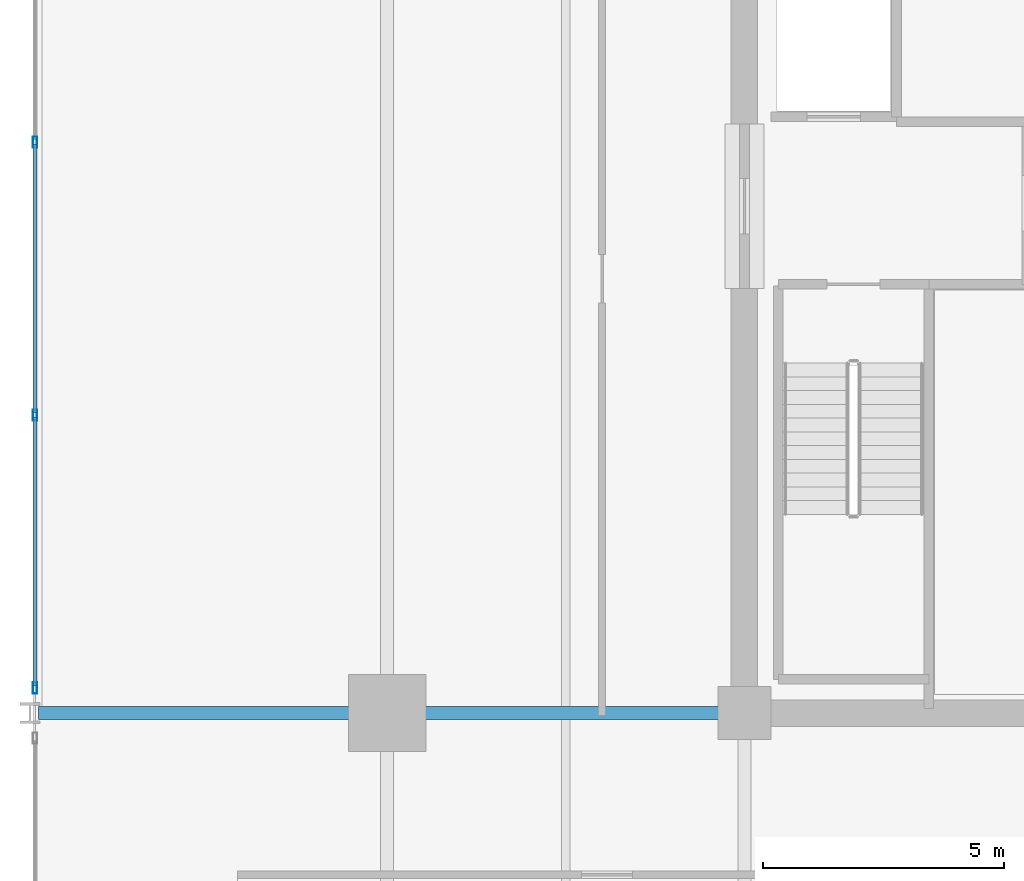
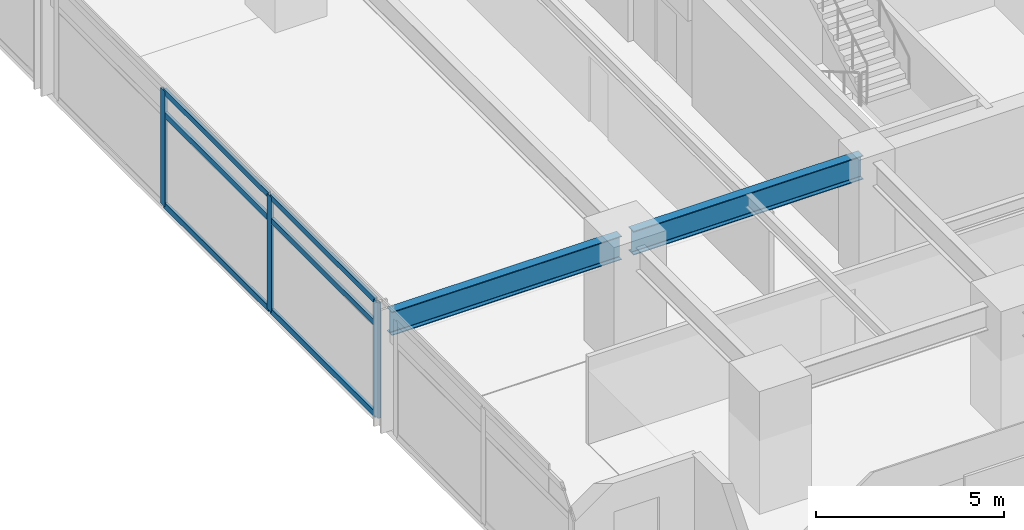
# One storey, part 5 of 21: 9 members, 2 beams, 1 element without a shape of its own.
"""IFC4 building model written with IfcOpenShell, lengths in metres."""

import ifcopenshell
import ifcopenshell.guid

model = None  # the IFC model being written
_history = None  # IfcOwnerHistory: only IFC2X3 demands one
_inside = {}  # id of a spatial element -> (the spatial element, [elements in it])
_under = {}  # id of a project, library or spatial element -> (it, [spatial elements below it])
_declared = {}  # id of a project -> (the project, [libraries it declares])
_typed = {}  # id of a type object -> (the type object, [elements of that type])
_made_of = {}  # id of a material, layer set ... -> (it, [elements and type objects made of it])


def new_model(schema):
    """Start an empty IFC model of exactly this schema.

    Asked for "IFC4X3", IfcOpenShell would pick the latest addendum, in which some entities
    have other attributes; the version numbers below select the first issue.
    IFC2X3 requires an IfcOwnerHistory on every rooted entity: one is made here for all.
    """
    global model, _history
    if schema == "IFC4X3":
        model = ifcopenshell.file(schema_version=(4, 3, 0, 0))
    else:
        model = ifcopenshell.file(schema=schema)
    _inside.clear()
    _under.clear()
    _declared.clear()
    _typed.clear()
    _made_of.clear()
    _history = None
    if model.schema == "IFC2X3":
        org = make("IfcOrganization", Name="unknown")
        user = make(
            "IfcPersonAndOrganization",
            ThePerson=make("IfcPerson", FamilyName="unknown"),
            TheOrganization=org,
        )
        app = make(
            "IfcApplication",
            ApplicationDeveloper=org,
            Version="unknown",
            ApplicationFullName="unknown",
            ApplicationIdentifier="unknown",
        )
        _history = make(
            "IfcOwnerHistory",
            OwningUser=user,
            OwningApplication=app,
            ChangeAction="ADDED",
            CreationDate=0,
        )
    return model


def make(cls, **values):
    """One entity of the class cls with the attributes given. An attribute that is None is left unset."""
    return model.create_entity(
        cls, **{name: value for name, value in values.items() if value is not None}
    )


def rooted(cls, **values):
    """An entity with a GlobalId (a new one), such as an element, a storey or a relation."""
    return make(cls, GlobalId=ifcopenshell.guid.new(), OwnerHistory=_history, **values)


def si_unit(unit_type, name, prefix=None):
    """IfcSIUnit, for example si_unit("LENGTHUNIT", "METRE", prefix="MILLI")."""
    return make("IfcSIUnit", UnitType=unit_type, Prefix=prefix, Name=name)


def assignment(units):
    """IfcUnitAssignment: the units of a project."""
    return None if units is None else make("IfcUnitAssignment", Units=units)


def point(xyz):
    """IfcCartesianPoint."""
    return None if xyz is None else make("IfcCartesianPoint", Coordinates=xyz)


def direction(xyz):
    """IfcDirection."""
    return None if xyz is None else make("IfcDirection", DirectionRatios=xyz)


def frame(location, z_axis=None, x_axis=None):
    """IfcAxis2Placement3D, a coordinate frame: its origin and axes. An axis left out is left unset."""
    return make(
        "IfcAxis2Placement3D",
        Location=point(location),
        Axis=direction(z_axis),
        RefDirection=direction(x_axis),
    )


def frame_2d(location, x_axis=None):
    """IfcAxis2Placement2D, a coordinate frame in the plane: its origin and x axis."""
    return make(
        "IfcAxis2Placement2D", Location=point(location), RefDirection=direction(x_axis)
    )


def origin():
    """The frame at (0, 0, 0) with its axes left unset."""
    return frame((0.0, 0.0, 0.0))


def origin_2d():
    """The frame at (0, 0) in the plane with its x axis left unset."""
    return frame_2d((0.0, 0.0))


def place(relative_to, where):
    """IfcLocalPlacement: puts the frame where relative to a parent placement (None: the world)."""
    return make(
        "IfcLocalPlacement", PlacementRelTo=relative_to, RelativePlacement=where
    )


def context(
    kind, dimensions, precision=None, world=None, true_north=None, identifier=None
):
    """IfcGeometricRepresentationContext, for example the 3D "Model" context."""
    return make(
        "IfcGeometricRepresentationContext",
        ContextIdentifier=identifier,
        ContextType=kind,
        CoordinateSpaceDimension=dimensions,
        Precision=precision,
        WorldCoordinateSystem=world,
        TrueNorth=true_north,
    )


def subcontext(parent, identifier, kind, view, scale=None):
    """IfcGeometricRepresentationSubContext, for example "Body" below "Model"."""
    return make(
        "IfcGeometricRepresentationSubContext",
        ContextIdentifier=identifier,
        ContextType=kind,
        ParentContext=parent,
        TargetScale=scale,
        TargetView=view,
    )


def project(units=None, contexts=None):
    """IfcProject with its units and contexts."""
    return rooted(
        "IfcProject",
        Name="project",
        RepresentationContexts=contexts,
        UnitsInContext=assignment(units),
    )


def spatial(cls, under=None, at=None, **own):
    """A site, building, storey or space (cls), placed at a placement, below another one or the project."""
    s = rooted(cls, ObjectPlacement=at, **own)
    if under is not None:
        _under.setdefault(under.id(), (under, []))[1].append(s)
    return s


def profile(cls, at=None, kind="AREA", **sizes):
    """A parametric profile (cls). Its sizes go by their IFC names, for example OverallWidth=200.0."""
    return make(cls, ProfileType=kind, Position=at, **sizes)


def hollow_rectangle(**sizes):
    """IfcRectangleHollowProfileDef."""
    return profile("IfcRectangleHollowProfileDef", **sizes)


def i_section(**sizes):
    """IfcIShapeProfileDef."""
    return profile("IfcIShapeProfileDef", **sizes)


def extrude(swept, where, along, depth):
    """IfcExtrudedAreaSolid: the profile swept, set in the frame where, extruded along a direction by depth."""
    return make(
        "IfcExtrudedAreaSolid",
        SweptArea=swept,
        Position=where,
        ExtrudedDirection=direction(along),
        Depth=depth,
    )


def shape(context_of_items, identifier, shape_type, items):
    """IfcShapeRepresentation: the items that make up one representation, for example the "Body"."""
    return make(
        "IfcShapeRepresentation",
        ContextOfItems=context_of_items,
        RepresentationIdentifier=identifier,
        RepresentationType=shape_type,
        Items=items,
    )


def material(Name=None, Category=None):
    """IfcMaterial."""
    return make("IfcMaterial", Name=Name, Category=Category)


def material_profile(
    of_material, cross_section, Name=None, Category=None, Priority=None
):
    """IfcMaterialProfile: a cross section and its material."""
    return make(
        "IfcMaterialProfile",
        Name=Name,
        Material=of_material,
        Profile=cross_section,
        Priority=Priority,
        Category=Category,
    )


def profile_set(profiles, Name=None, composite=None):
    """IfcMaterialProfileSet."""
    return make(
        "IfcMaterialProfileSet",
        Name=Name,
        MaterialProfiles=profiles,
        CompositeProfile=composite,
    )


def made_of(thing, what):
    """Note that an element or type object is made of a material, layer set ...; save() writes the relation."""
    if what is not None:
        _made_of.setdefault(what.id(), (what, []))[1].append(thing)
    return thing


def type_object(cls, material=None, **own):
    """A type object (cls), such as IfcWallType, which elements share."""
    return made_of(rooted(cls, **own), material)


def element(
    cls,
    number,
    at=None,
    inside=None,
    cuts=None,
    type_object=None,
    material=None,
    context=None,
    identifier="Body",
    shape_type=None,
    held_by="IfcProductDefinitionShape",
    body=None,
    shapes=None,
    **own,
):
    """One element of the class cls, such as IfcWall. Its Tag is "e" and its number.

    at: its placement. inside: the storey or other place that contains it. cuts: it is an
    opening in that element (IfcRelVoidsElement). A single representation is given by context,
    identifier, shape_type and body (its items); several are given by shapes. held_by: the class
    of the entity that holds the representations. save() writes the other relations.
    """
    e = rooted(cls, Tag="e%d" % number, ObjectPlacement=at, **own)
    if body is not None:
        shapes = [shape(context, identifier, shape_type, body)]
    if shapes is not None:
        e.Representation = make(held_by, Representations=shapes)
    if inside is not None:
        _inside.setdefault(inside.id(), (inside, []))[1].append(e)
    if cuts is not None:
        rooted(
            "IfcRelVoidsElement", RelatingBuildingElement=cuts, RelatedOpeningElement=e
        )
    if type_object is not None:
        _typed.setdefault(type_object.id(), (type_object, []))[1].append(e)
    return made_of(e, material)


def aggregate(whole, parts):
    """IfcRelAggregates: a whole, such as a stair, and the parts it consists of."""
    return rooted("IfcRelAggregates", RelatingObject=whole, RelatedObjects=parts)


def save(model, path):
    """Write the relations noted so far, then the file.

    IfcRelAggregates (storeys below a building ...), IfcRelContainedInSpatialStructure (elements
    in a storey), IfcRelDefinesByType, IfcRelAssociatesMaterial and IfcRelDeclares: one each for
    every whole, place, type object, material and project.
    """
    for whole, parts in _under.values():
        aggregate(whole, parts)
    for where, things in _inside.values():
        rooted(
            "IfcRelContainedInSpatialStructure",
            RelatedElements=things,
            RelatingStructure=where,
        )
    for kind, things in _typed.values():
        rooted("IfcRelDefinesByType", RelatedObjects=things, RelatingType=kind)
    for what, things in _made_of.values():
        rooted("IfcRelAssociatesMaterial", RelatedObjects=things, RelatingMaterial=what)
    for by, libraries in _declared.values():
        rooted("IfcRelDeclares", RelatingContext=by, RelatedDefinitions=libraries)
    model.write(path)


model = new_model("IFC4")

# Units and contexts
model_context = context("Model", 3, precision=1e-05, world=origin(), true_north=direction((0.0, 1.0)))
body_context = subcontext(model_context, "Body", "Model", "MODEL_VIEW")
ifc_project = project(units=[si_unit("LENGTHUNIT", "METRE"), si_unit("AREAUNIT", "SQUARE_METRE"), si_unit("VOLUMEUNIT", "CUBIC_METRE"), si_unit("PLANEANGLEUNIT", "RADIAN"), si_unit("MASSUNIT", "GRAM", prefix="KILO")], contexts=[model_context])

# Site, building, storey
site_placement = place(None, origin())
site = spatial("IfcSite", under=ifc_project, at=site_placement, CompositionType="ELEMENT")
building_placement = place(site_placement, origin())
building = spatial("IfcBuilding", under=site, at=building_placement, Name="Kovane Verandah Tower", CompositionType="ELEMENT")
storey_placement = place(building_placement, frame((0.0, 0.0, 152.39990234375)))
storey = spatial("IfcBuildingStorey", under=building, at=storey_placement, Name="L35", CompositionType="ELEMENT", Elevation=152.39990234375)

# Beams
ifc_material_1 = material(Name="Steel S355", Category="steel")
ifc_material_profile_1 = material_profile(ifc_material_1, i_section(OverallWidth=0.26806640625, OverallDepth=0.769775390625, WebThickness=0.015625, FlangeThickness=0.025390625, FilletRadius=0.0166015625, at=origin_2d()), Name="UB762x267x197")
ifc_profile_set_1 = profile_set([ifc_material_profile_1], Name="Steel S355")
beam_type = type_object("IfcBeamType", Name="BM-UB762x197", PredefinedType="BEAM", material=ifc_profile_set_1)
for number, where, z_axis, x_axis, name in (
    (1, (28.820068359375, 18.5, 3.39013671875), (-1.0, 0.0, 0.0), (0.0, -1.0, 0.0), "L35 Primary Tower Girder G-W1"),
    (2, (21.419921875, 18.5, 3.375244140625), (-1.0, 0.0, 0.0), (0.0, -1.0, 0.0), "L35 Primary Tower Girder G-VW1"),
):
    element("IfcBeam", number, at=place(storey_placement, frame(where, z_axis=z_axis, x_axis=x_axis)), inside=storey, type_object=beam_type, Name=name, PredefinedType="BEAM", context=body_context, shape_type="SweptSolid", body=[
        extrude(i_section(OverallWidth=0.26806640625, OverallDepth=0.769775390625, WebThickness=0.015625, FlangeThickness=0.025390625, FilletRadius=0.0166015625, at=origin_2d()), origin(), (0.0, 0.0, 1.0), 7.0400390625),
    ])

# Curtain wall, members
ifc_material_2 = material(Name="Champagne Anodised Aluminium Frame with Low-E Clear Laminated Glass", Category="aluminium")
curtain_wall_type = type_object("IfcCurtainWallType", Name="CW-SYS-03-MID", PredefinedType="NOTDEFINED", material=ifc_material_2)
curtain_wall_placement = place(storey_placement, origin())
curtain_wall = element("IfcCurtainWall", 3, at=curtain_wall_placement, inside=storey, type_object=curtain_wall_type, Name="L35 W Unitised Curtain Wall-2", PredefinedType="NOTDEFINED")
ifc_material_3 = material(Name="Champagne Anodised Aluminium 6063-T6", Category="aluminium")
ifc_material_profile_2 = material_profile(ifc_material_3, hollow_rectangle(XDim=0.0849609375, YDim=0.22998046875, WallThickness=0.00390625, at=origin_2d()), Name="AL85x230x4")
ifc_profile_set_2 = profile_set([ifc_material_profile_2], Name="Champagne Anodised Aluminium 6063-T6")
member_type_1 = type_object("IfcMemberType", Name="CW-MUL-85x230", PredefinedType="MULLION", material=ifc_profile_set_2)
member_1_placement = place(storey_placement, frame((14.303955078125, 30.32666015625, 0.02001953125), z_axis=(0.0, 0.0, 1.0), x_axis=(-1.0, 0.0, 0.0)))
member_1 = element("IfcMember", 4, at=member_1_placement, type_object=member_type_1, Name="L35 W Unitised Curtain Wall-2 Mullion 2", PredefinedType="MULLION", context=body_context, shape_type="SweptSolid", body=[
    extrude(hollow_rectangle(XDim=0.0849609375, YDim=0.22998046875, WallThickness=0.00390625, at=origin_2d()), origin(), (0.0, 0.0, 1.0), 3.735107421875),
])
member_2_placement = place(storey_placement, frame((14.303955078125, 24.67333984375, 0.02001953125), z_axis=(0.0, 0.0, 1.0), x_axis=(-1.0, 0.0, 0.0)))
member_2 = element("IfcMember", 5, at=member_2_placement, type_object=member_type_1, Name="L35 W Unitised Curtain Wall-2 Mullion 3", PredefinedType="MULLION", context=body_context, shape_type="SweptSolid", body=[
    extrude(hollow_rectangle(XDim=0.0849609375, YDim=0.22998046875, WallThickness=0.00390625, at=origin_2d()), origin(), (0.0, 0.0, 1.0), 3.735107421875),
])
member_3_placement = place(storey_placement, frame((14.303955078125, 19.02001953125, 0.02001953125), z_axis=(0.0, 0.0, 1.0), x_axis=(-1.0, 0.0, 0.0)))
member_3 = element("IfcMember", 6, at=member_3_placement, type_object=member_type_1, Name="L35 W Unitised Curtain Wall-2 Mullion 4", PredefinedType="MULLION", context=body_context, shape_type="SweptSolid", body=[
    extrude(hollow_rectangle(XDim=0.0849609375, YDim=0.22998046875, WallThickness=0.00390625, at=origin_2d()), origin(), (0.0, 0.0, 1.0), 3.735107421875),
])
ifc_material_profile_3 = material_profile(ifc_material_3, hollow_rectangle(XDim=0.0849609375, YDim=0.18994140625, WallThickness=0.00390625, at=origin_2d()), Name="AL85x190x4")
ifc_profile_set_3 = profile_set([ifc_material_profile_3], Name="Champagne Anodised Aluminium 6063-T6")
member_type_2 = type_object("IfcMemberType", Name="CW-TRN-85x190", PredefinedType="USERDEFINED", material=ifc_profile_set_3)
member_4_placement = place(storey_placement, frame((14.303955078125, 30.276611328125, 0.050048828125), z_axis=(0.0, -1.0, 0.0), x_axis=(1.0, 0.0, 0.0)))
member_4 = element("IfcMember", 7, at=member_4_placement, type_object=member_type_2, Name="L35 W Unitised Curtain Wall-2 Transom TB Bay 2", ObjectType="TRANSOM", PredefinedType="USERDEFINED", context=body_context, shape_type="SweptSolid", body=[
    extrude(hollow_rectangle(XDim=0.0849609375, YDim=0.18994140625, WallThickness=0.00390625, at=origin_2d()), origin(), (0.0, 0.0, 1.0), 5.55322265625),
])
member_5_placement = place(storey_placement, frame((14.303955078125, 30.276611328125, 2.9951171875), z_axis=(0.0, -1.0, 0.0), x_axis=(1.0, 0.0, 0.0)))
member_5 = element("IfcMember", 8, at=member_5_placement, type_object=member_type_2, Name="L35 W Unitised Curtain Wall-2 Transom TM Bay 2", ObjectType="TRANSOM", PredefinedType="USERDEFINED", context=body_context, shape_type="SweptSolid", body=[
    extrude(hollow_rectangle(XDim=0.0849609375, YDim=0.18994140625, WallThickness=0.00390625, at=origin_2d()), origin(), (0.0, 0.0, 1.0), 5.55322265625),
])
member_6_placement = place(storey_placement, frame((14.303955078125, 30.276611328125, 3.72509765625), z_axis=(0.0, -1.0, 0.0), x_axis=(1.0, 0.0, 0.0)))
member_6 = element("IfcMember", 9, at=member_6_placement, type_object=member_type_2, Name="L35 W Unitised Curtain Wall-2 Transom TT Bay 2", ObjectType="TRANSOM", PredefinedType="USERDEFINED", context=body_context, shape_type="SweptSolid", body=[
    extrude(hollow_rectangle(XDim=0.0849609375, YDim=0.18994140625, WallThickness=0.00390625, at=origin_2d()), origin(), (0.0, 0.0, 1.0), 5.55322265625),
])
member_7_placement = place(storey_placement, frame((14.303955078125, 24.623291015625, 0.050048828125), z_axis=(0.0, -1.0, 0.0), x_axis=(1.0, 0.0, 0.0)))
member_7 = element("IfcMember", 10, at=member_7_placement, type_object=member_type_2, Name="L35 W Unitised Curtain Wall-2 Transom TB Bay 3", ObjectType="TRANSOM", PredefinedType="USERDEFINED", context=body_context, shape_type="SweptSolid", body=[
    extrude(hollow_rectangle(XDim=0.0849609375, YDim=0.18994140625, WallThickness=0.00390625, at=origin_2d()), origin(), (0.0, 0.0, 1.0), 5.55322265625),
])
member_8_placement = place(storey_placement, frame((14.303955078125, 24.623291015625, 2.9951171875), z_axis=(0.0, -1.0, 0.0), x_axis=(1.0, 0.0, 0.0)))
member_8 = element("IfcMember", 11, at=member_8_placement, type_object=member_type_2, Name="L35 W Unitised Curtain Wall-2 Transom TM Bay 3", ObjectType="TRANSOM", PredefinedType="USERDEFINED", context=body_context, shape_type="SweptSolid", body=[
    extrude(hollow_rectangle(XDim=0.0849609375, YDim=0.18994140625, WallThickness=0.00390625, at=origin_2d()), origin(), (0.0, 0.0, 1.0), 5.55322265625),
])
member_9_placement = place(storey_placement, frame((14.303955078125, 24.623291015625, 3.72509765625), z_axis=(0.0, -1.0, 0.0), x_axis=(1.0, 0.0, 0.0)))
member_9 = element("IfcMember", 12, at=member_9_placement, type_object=member_type_2, Name="L35 W Unitised Curtain Wall-2 Transom TT Bay 3", ObjectType="TRANSOM", PredefinedType="USERDEFINED", context=body_context, shape_type="SweptSolid", body=[
    extrude(hollow_rectangle(XDim=0.0849609375, YDim=0.18994140625, WallThickness=0.00390625, at=origin_2d()), origin(), (0.0, 0.0, 1.0), 5.55322265625),
])
aggregate(curtain_wall, [member_1, member_2, member_3, member_4, member_5, member_6, member_7, member_8, member_9])

save(model, "model.ifc")
